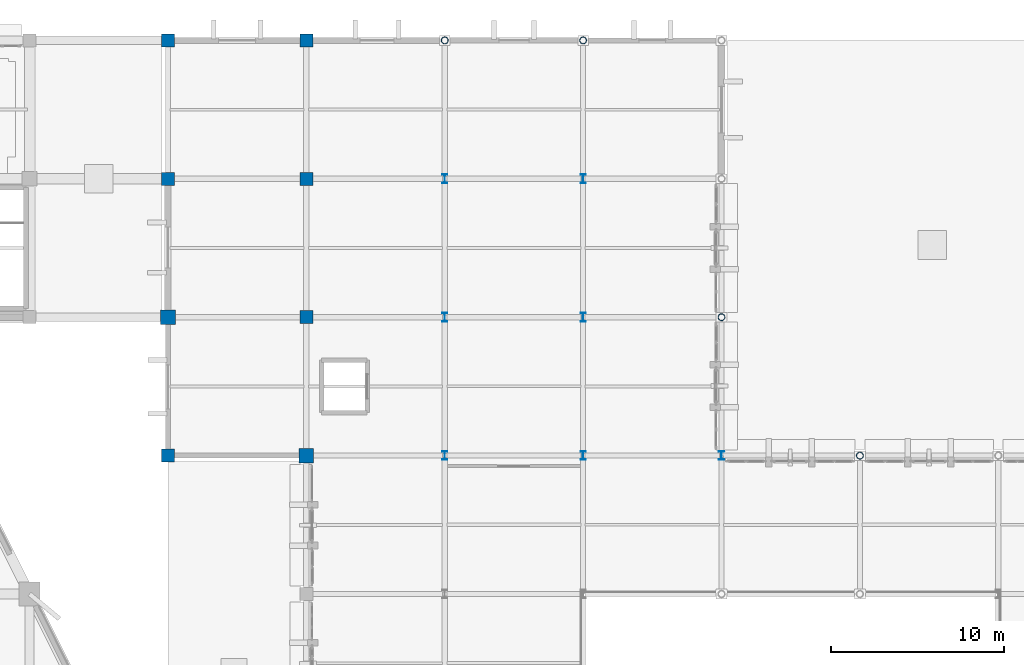
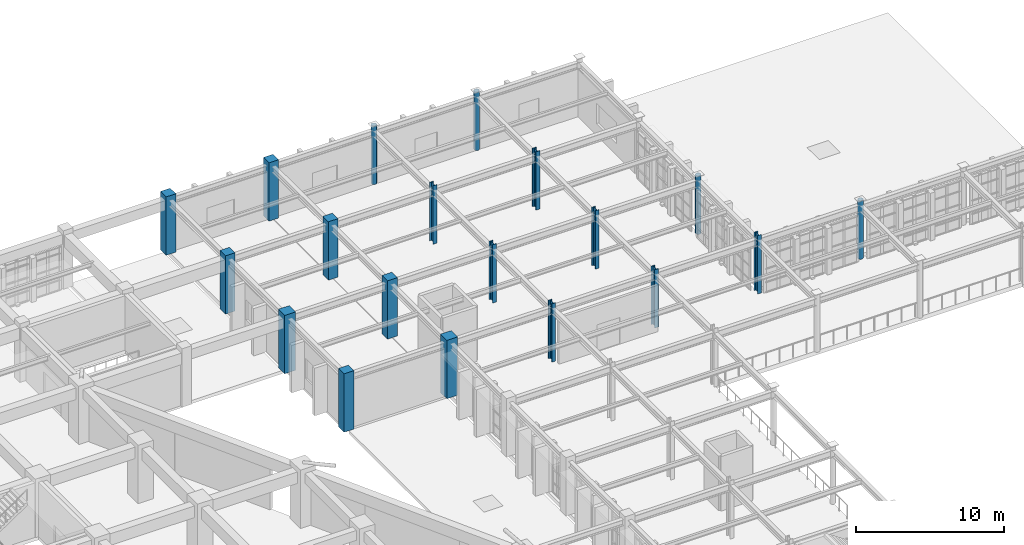
# One storey, part 6 of 155: 19 columns.
"""IFC4 building model written with IfcOpenShell, lengths in metres."""

import ifcopenshell
import ifcopenshell.guid

model = None  # the IFC model being written
_history = None  # IfcOwnerHistory: only IFC2X3 demands one
_inside = {}  # id of a spatial element -> (the spatial element, [elements in it])
_under = {}  # id of a project, library or spatial element -> (it, [spatial elements below it])
_declared = {}  # id of a project -> (the project, [libraries it declares])
_typed = {}  # id of a type object -> (the type object, [elements of that type])
_made_of = {}  # id of a material, layer set ... -> (it, [elements and type objects made of it])


def new_model(schema):
    """Start an empty IFC model of exactly this schema.

    Asked for "IFC4X3", IfcOpenShell would pick the latest addendum, in which some entities
    have other attributes; the version numbers below select the first issue.
    IFC2X3 requires an IfcOwnerHistory on every rooted entity: one is made here for all.
    """
    global model, _history
    if schema == "IFC4X3":
        model = ifcopenshell.file(schema_version=(4, 3, 0, 0))
    else:
        model = ifcopenshell.file(schema=schema)
    _inside.clear()
    _under.clear()
    _declared.clear()
    _typed.clear()
    _made_of.clear()
    _history = None
    if model.schema == "IFC2X3":
        org = make("IfcOrganization", Name="unknown")
        user = make(
            "IfcPersonAndOrganization",
            ThePerson=make("IfcPerson", FamilyName="unknown"),
            TheOrganization=org,
        )
        app = make(
            "IfcApplication",
            ApplicationDeveloper=org,
            Version="unknown",
            ApplicationFullName="unknown",
            ApplicationIdentifier="unknown",
        )
        _history = make(
            "IfcOwnerHistory",
            OwningUser=user,
            OwningApplication=app,
            ChangeAction="ADDED",
            CreationDate=0,
        )
    return model


def make(cls, **values):
    """One entity of the class cls with the attributes given. An attribute that is None is left unset."""
    return model.create_entity(
        cls, **{name: value for name, value in values.items() if value is not None}
    )


def rooted(cls, **values):
    """An entity with a GlobalId (a new one), such as an element, a storey or a relation."""
    return make(cls, GlobalId=ifcopenshell.guid.new(), OwnerHistory=_history, **values)


def si_unit(unit_type, name, prefix=None):
    """IfcSIUnit, for example si_unit("LENGTHUNIT", "METRE", prefix="MILLI")."""
    return make("IfcSIUnit", UnitType=unit_type, Prefix=prefix, Name=name)


def assignment(units):
    """IfcUnitAssignment: the units of a project."""
    return None if units is None else make("IfcUnitAssignment", Units=units)


def point(xyz):
    """IfcCartesianPoint."""
    return None if xyz is None else make("IfcCartesianPoint", Coordinates=xyz)


def direction(xyz):
    """IfcDirection."""
    return None if xyz is None else make("IfcDirection", DirectionRatios=xyz)


def frame(location, z_axis=None, x_axis=None):
    """IfcAxis2Placement3D, a coordinate frame: its origin and axes. An axis left out is left unset."""
    return make(
        "IfcAxis2Placement3D",
        Location=point(location),
        Axis=direction(z_axis),
        RefDirection=direction(x_axis),
    )


def frame_2d(location, x_axis=None):
    """IfcAxis2Placement2D, a coordinate frame in the plane: its origin and x axis."""
    return make(
        "IfcAxis2Placement2D", Location=point(location), RefDirection=direction(x_axis)
    )


def origin():
    """The frame at (0, 0, 0) with its axes left unset."""
    return frame((0.0, 0.0, 0.0))


def origin_2d():
    """The frame at (0, 0) in the plane with its x axis left unset."""
    return frame_2d((0.0, 0.0))


def place(relative_to, where):
    """IfcLocalPlacement: puts the frame where relative to a parent placement (None: the world)."""
    return make(
        "IfcLocalPlacement", PlacementRelTo=relative_to, RelativePlacement=where
    )


def context(
    kind, dimensions, precision=None, world=None, true_north=None, identifier=None
):
    """IfcGeometricRepresentationContext, for example the 3D "Model" context."""
    return make(
        "IfcGeometricRepresentationContext",
        ContextIdentifier=identifier,
        ContextType=kind,
        CoordinateSpaceDimension=dimensions,
        Precision=precision,
        WorldCoordinateSystem=world,
        TrueNorth=true_north,
    )


def subcontext(parent, identifier, kind, view, scale=None):
    """IfcGeometricRepresentationSubContext, for example "Body" below "Model"."""
    return make(
        "IfcGeometricRepresentationSubContext",
        ContextIdentifier=identifier,
        ContextType=kind,
        ParentContext=parent,
        TargetScale=scale,
        TargetView=view,
    )


def project(units=None, contexts=None):
    """IfcProject with its units and contexts."""
    return rooted(
        "IfcProject",
        Name="project",
        RepresentationContexts=contexts,
        UnitsInContext=assignment(units),
    )


def spatial(cls, under=None, at=None, **own):
    """A site, building, storey or space (cls), placed at a placement, below another one or the project."""
    s = rooted(cls, ObjectPlacement=at, **own)
    if under is not None:
        _under.setdefault(under.id(), (under, []))[1].append(s)
    return s


def profile(cls, at=None, kind="AREA", **sizes):
    """A parametric profile (cls). Its sizes go by their IFC names, for example OverallWidth=200.0."""
    return make(cls, ProfileType=kind, Position=at, **sizes)


def rectangle(**sizes):
    """IfcRectangleProfileDef."""
    return profile("IfcRectangleProfileDef", **sizes)


def hollow_circle(**sizes):
    """IfcCircleHollowProfileDef."""
    return profile("IfcCircleHollowProfileDef", **sizes)


def i_section(**sizes):
    """IfcIShapeProfileDef."""
    return profile("IfcIShapeProfileDef", **sizes)


def extrude(swept, where, along, depth):
    """IfcExtrudedAreaSolid: the profile swept, set in the frame where, extruded along a direction by depth."""
    return make(
        "IfcExtrudedAreaSolid",
        SweptArea=swept,
        Position=where,
        ExtrudedDirection=direction(along),
        Depth=depth,
    )


def shape(context_of_items, identifier, shape_type, items):
    """IfcShapeRepresentation: the items that make up one representation, for example the "Body"."""
    return make(
        "IfcShapeRepresentation",
        ContextOfItems=context_of_items,
        RepresentationIdentifier=identifier,
        RepresentationType=shape_type,
        Items=items,
    )


def material(Name=None, Category=None):
    """IfcMaterial."""
    return make("IfcMaterial", Name=Name, Category=Category)


def material_profile(
    of_material, cross_section, Name=None, Category=None, Priority=None
):
    """IfcMaterialProfile: a cross section and its material."""
    return make(
        "IfcMaterialProfile",
        Name=Name,
        Material=of_material,
        Profile=cross_section,
        Priority=Priority,
        Category=Category,
    )


def profile_set(profiles, Name=None, composite=None):
    """IfcMaterialProfileSet."""
    return make(
        "IfcMaterialProfileSet",
        Name=Name,
        MaterialProfiles=profiles,
        CompositeProfile=composite,
    )


def made_of(thing, what):
    """Note that an element or type object is made of a material, layer set ...; save() writes the relation."""
    if what is not None:
        _made_of.setdefault(what.id(), (what, []))[1].append(thing)
    return thing


def type_object(cls, material=None, **own):
    """A type object (cls), such as IfcWallType, which elements share."""
    return made_of(rooted(cls, **own), material)


def element(
    cls,
    number,
    at=None,
    inside=None,
    cuts=None,
    type_object=None,
    material=None,
    context=None,
    identifier="Body",
    shape_type=None,
    held_by="IfcProductDefinitionShape",
    body=None,
    shapes=None,
    **own,
):
    """One element of the class cls, such as IfcWall. Its Tag is "e" and its number.

    at: its placement. inside: the storey or other place that contains it. cuts: it is an
    opening in that element (IfcRelVoidsElement). A single representation is given by context,
    identifier, shape_type and body (its items); several are given by shapes. held_by: the class
    of the entity that holds the representations. save() writes the other relations.
    """
    e = rooted(cls, Tag="e%d" % number, ObjectPlacement=at, **own)
    if body is not None:
        shapes = [shape(context, identifier, shape_type, body)]
    if shapes is not None:
        e.Representation = make(held_by, Representations=shapes)
    if inside is not None:
        _inside.setdefault(inside.id(), (inside, []))[1].append(e)
    if cuts is not None:
        rooted(
            "IfcRelVoidsElement", RelatingBuildingElement=cuts, RelatedOpeningElement=e
        )
    if type_object is not None:
        _typed.setdefault(type_object.id(), (type_object, []))[1].append(e)
    return made_of(e, material)


def aggregate(whole, parts):
    """IfcRelAggregates: a whole, such as a stair, and the parts it consists of."""
    return rooted("IfcRelAggregates", RelatingObject=whole, RelatedObjects=parts)


def save(model, path):
    """Write the relations noted so far, then the file.

    IfcRelAggregates (storeys below a building ...), IfcRelContainedInSpatialStructure (elements
    in a storey), IfcRelDefinesByType, IfcRelAssociatesMaterial and IfcRelDeclares: one each for
    every whole, place, type object, material and project.
    """
    for whole, parts in _under.values():
        aggregate(whole, parts)
    for where, things in _inside.values():
        rooted(
            "IfcRelContainedInSpatialStructure",
            RelatedElements=things,
            RelatingStructure=where,
        )
    for kind, things in _typed.values():
        rooted("IfcRelDefinesByType", RelatedObjects=things, RelatingType=kind)
    for what, things in _made_of.values():
        rooted("IfcRelAssociatesMaterial", RelatedObjects=things, RelatingMaterial=what)
    for by, libraries in _declared.values():
        rooted("IfcRelDeclares", RelatingContext=by, RelatedDefinitions=libraries)
    model.write(path)


model = new_model("IFC4")

# Units and contexts
model_context = context("Model", 3, precision=1e-05, world=origin(), true_north=direction((0.0, 1.0)))
body_context = subcontext(model_context, "Body", "Model", "MODEL_VIEW")
ifc_project = project(units=[si_unit("LENGTHUNIT", "METRE"), si_unit("AREAUNIT", "SQUARE_METRE"), si_unit("VOLUMEUNIT", "CUBIC_METRE"), si_unit("PLANEANGLEUNIT", "RADIAN"), si_unit("MASSUNIT", "GRAM", prefix="KILO")], contexts=[model_context])

# Site, building, storey
site_placement = place(None, origin())
site = spatial("IfcSite", under=ifc_project, at=site_placement, CompositionType="ELEMENT")
building_placement = place(site_placement, origin())
building = spatial("IfcBuilding", under=site, at=building_placement, Name="Tazarka Park Arena", CompositionType="ELEMENT")
storey_placement = place(building_placement, frame((0.0, 0.0, 5.39990234375)))
storey = spatial("IfcBuildingStorey", under=building, at=storey_placement, Name="L01", CompositionType="ELEMENT", Elevation=5.39990234375)

# Columns
ifc_material_1 = material(Name="Concrete C40/50", Category="concrete")
ifc_material_profile_1 = material_profile(ifc_material_1, rectangle(XDim=0.75, YDim=0.75, at=origin_2d()), Name="Concrete C40/50")
ifc_profile_set_1 = profile_set([ifc_material_profile_1], Name="Concrete C40/50")
column_type_1 = type_object("IfcColumnType", Name="COL-C-02", PredefinedType="COLUMN", material=ifc_profile_set_1)
for number, where, z_axis, x_axis, name in (
    (1, (128.0, 120.0, 0.0), (0.0, 0.0, 1.0), (1.0, 0.0, 0.0), "CLM-L01-16-15"),
    (2, (136.0, 112.0, 0.0), (0.0, 0.0, 1.0), (1.0, 0.0, 0.0), "CLM-L01-17-14"),
    (3, (136.0, 120.0, 0.0), (0.0, 0.0, 1.0), (1.0, 0.0, 0.0), "CLM-L01-17-15"),
):
    element("IfcColumn", number, at=place(storey_placement, frame(where, z_axis=z_axis, x_axis=x_axis)), inside=storey, type_object=column_type_1, Name=name, PredefinedType="COLUMN", context=body_context, shape_type="SweptSolid", body=[
        extrude(rectangle(XDim=0.75, YDim=0.75, at=origin_2d()), origin(), (0.0, 0.0, 1.0), 4.800048828125),
    ])
ifc_material_2 = material(Name="Concrete C40/50", Category="concrete")
ifc_material_profile_2 = material_profile(ifc_material_2, rectangle(XDim=0.75, YDim=0.75, at=origin_2d()), Name="Concrete C40/50")
ifc_profile_set_2 = profile_set([ifc_material_profile_2], Name="Concrete C40/50")
column_type_2 = type_object("IfcColumnType", Name="COL-C-06", PredefinedType="COLUMN", material=ifc_profile_set_2)
for number, where, z_axis, x_axis, name in (
    (4, (128.0, 104.0, 0.0), (0.0, 0.0, 1.0), (1.0, 0.0, 0.0), "CLM-L01-16-13"),
    (5, (128.0, 128.0, 0.0), (0.0, 0.0, 1.0), (1.0, 0.0, 0.0), "CLM-L01-16-16"),
    (6, (136.0, 128.0, 0.0), (0.0, 0.0, 1.0), (1.0, 0.0, 0.0), "CLM-L01-17-16"),
):
    element("IfcColumn", number, at=place(storey_placement, frame(where, z_axis=z_axis, x_axis=x_axis)), inside=storey, type_object=column_type_2, Name=name, PredefinedType="COLUMN", context=body_context, shape_type="SweptSolid", body=[
        extrude(rectangle(XDim=0.75, YDim=0.75, at=origin_2d()), origin(), (0.0, 0.0, 1.0), 4.800048828125),
    ])
ifc_material_3 = material(Name="Concrete C40/50", Category="concrete")
ifc_material_profile_3 = material_profile(ifc_material_3, rectangle(XDim=0.85009765625, YDim=0.85009765625, at=origin_2d()), Name="Concrete C40/50")
ifc_profile_set_3 = profile_set([ifc_material_profile_3], Name="Concrete C40/50")
column_type_3 = type_object("IfcColumnType", Name="COL-C-10", PredefinedType="COLUMN", material=ifc_profile_set_3)
for number, where, z_axis, x_axis, name in (
    (7, (128.0, 112.0, 0.0), (0.0, 0.0, 1.0), (1.0, 0.0, 0.0), "CLM-L01-16-14"),
    (8, (136.0, 104.0, 0.0), (0.0, 0.0, 1.0), (1.0, 0.0, 0.0), "CLM-L01-17-13"),
):
    element("IfcColumn", number, at=place(storey_placement, frame(where, z_axis=z_axis, x_axis=x_axis)), inside=storey, type_object=column_type_3, Name=name, PredefinedType="COLUMN", context=body_context, shape_type="SweptSolid", body=[
        extrude(rectangle(XDim=0.85009765625, YDim=0.85009765625, at=origin_2d()), origin(), (0.0, 0.0, 1.0), 4.800048828125),
    ])
ifc_material_4 = material(Name="Steel S355", Category="steel")
ifc_material_profile_4 = material_profile(ifc_material_4, i_section(OverallWidth=0.300048828125, OverallDepth=0.5, WebThickness=0.014404296875, FlangeThickness=0.028076171875, FilletRadius=0.027099609375, at=origin_2d()), Name="Steel S355")
ifc_profile_set_4 = profile_set([ifc_material_profile_4], Name="Steel S355")
column_type_4 = type_object("IfcColumnType", Name="COL-SC-02", PredefinedType="COLUMN", material=ifc_profile_set_4)
for number, where, z_axis, x_axis, name in (
    (9, (144.0, 104.0, 0.0), (0.0, 0.0, 1.0), (1.0, 0.0, 0.0), "CLM-L01-18-13"),
    (10, (144.0, 112.0, 0.0), (0.0, 0.0, 1.0), (1.0, 0.0, 0.0), "CLM-L01-18-14"),
    (11, (144.0, 120.0, 0.0), (0.0, 0.0, 1.0), (1.0, 0.0, 0.0), "CLM-L01-18-15"),
    (12, (152.0, 104.0, 0.0), (0.0, 0.0, 1.0), (1.0, 0.0, 0.0), "CLM-L01-19-13"),
    (13, (152.0, 112.0, 0.0), (0.0, 0.0, 1.0), (1.0, 0.0, 0.0), "CLM-L01-19-14"),
    (14, (152.0, 120.0, 0.0), (0.0, 0.0, 1.0), (1.0, 0.0, 0.0), "CLM-L01-19-15"),
    (15, (160.0, 104.0, 0.0), (0.0, 0.0, 1.0), (1.0, 0.0, 0.0), "CLM-L01-20-13"),
):
    element("IfcColumn", number, at=place(storey_placement, frame(where, z_axis=z_axis, x_axis=x_axis)), inside=storey, type_object=column_type_4, Name=name, PredefinedType="COLUMN", context=body_context, shape_type="SweptSolid", body=[
        extrude(i_section(OverallWidth=0.300048828125, OverallDepth=0.5, WebThickness=0.014404296875, FlangeThickness=0.028076171875, FilletRadius=0.027099609375, at=origin_2d()), origin(), (0.0, 0.0, 1.0), 4.800048828125),
    ])
ifc_material_5 = material(Name="Steel S355", Category="steel")
ifc_material_profile_5 = material_profile(ifc_material_5, hollow_circle(Radius=0.203125, WallThickness=0.02001953125, at=origin_2d()), Name="Steel S355")
ifc_profile_set_5 = profile_set([ifc_material_profile_5], Name="Steel S355")
column_type_5 = type_object("IfcColumnType", Name="COL-SC-04", PredefinedType="COLUMN", material=ifc_profile_set_5)
for number, where, z_axis, x_axis, name in (
    (16, (144.0, 128.0, 0.0), (0.0, 0.0, 1.0), (1.0, 0.0, 0.0), "CLM-L01-18-16"),
    (17, (152.0, 128.0, 0.0), (0.0, 0.0, 1.0), (1.0, 0.0, 0.0), "CLM-L01-19-16"),
    (18, (160.0, 112.0, 0.0), (0.0, 0.0, 1.0), (1.0, 0.0, 0.0), "CLM-L01-20-14"),
    (19, (168.0, 104.0, 0.0), (0.0, 0.0, 1.0), (1.0, 0.0, 0.0), "CLM-L01-21-13"),
):
    element("IfcColumn", number, at=place(storey_placement, frame(where, z_axis=z_axis, x_axis=x_axis)), inside=storey, type_object=column_type_5, Name=name, PredefinedType="COLUMN", context=body_context, shape_type="SweptSolid", body=[
        extrude(hollow_circle(Radius=0.203125, WallThickness=0.02001953125, at=origin_2d()), origin(), (0.0, 0.0, 1.0), 4.800048828125),
    ])

save(model, "model.ifc")
